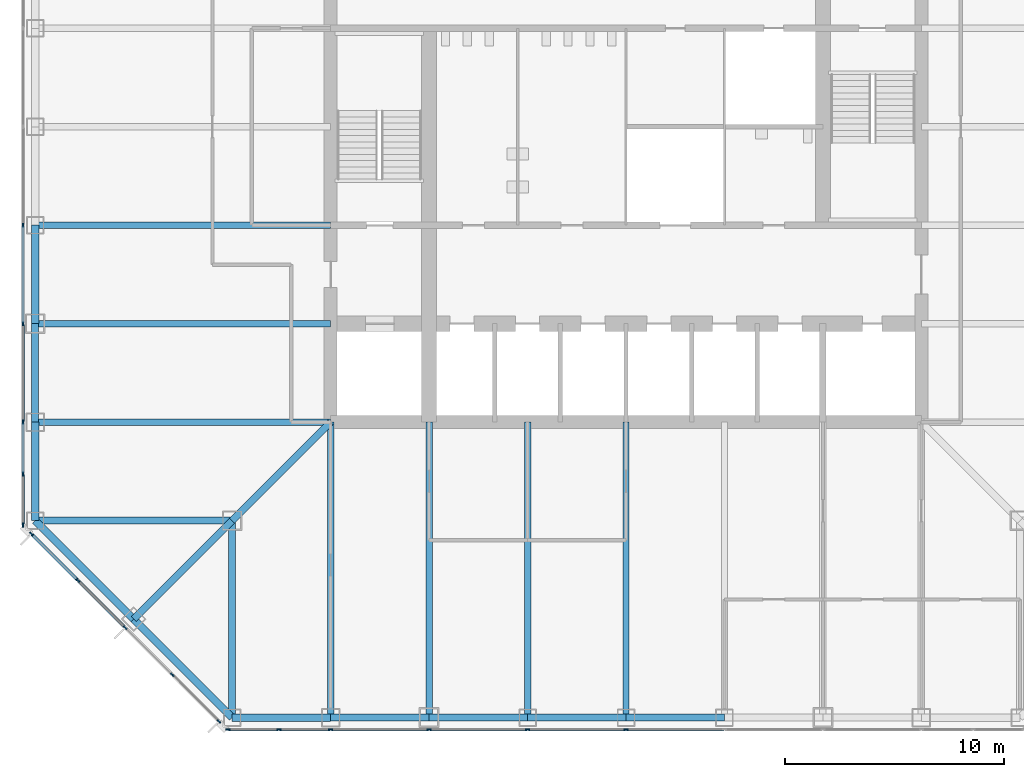
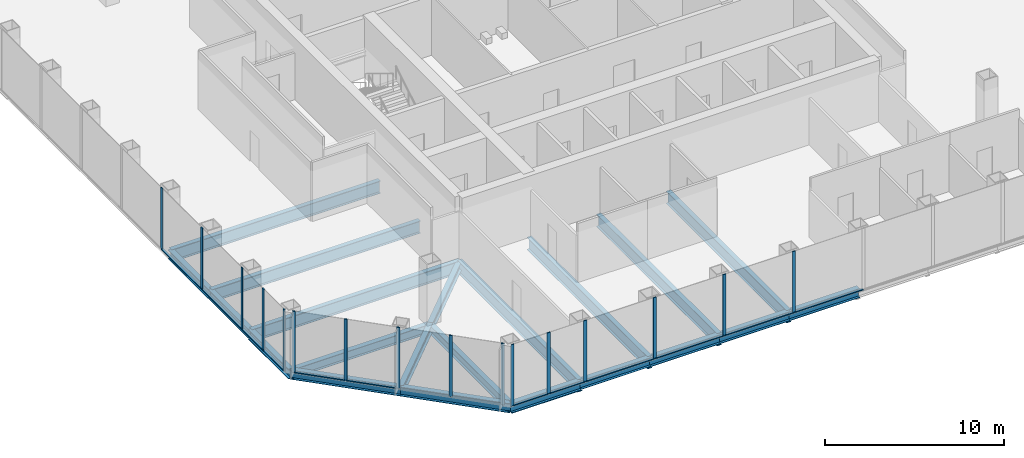
# One storey, part 2 of 12: 28 members, 21 beams, 3 elements without a shape of their own.
"""IFC4 building model written with IfcOpenShell, lengths in metres."""

import ifcopenshell
import ifcopenshell.guid

model = None  # the IFC model being written
_history = None  # IfcOwnerHistory: only IFC2X3 demands one
_inside = {}  # id of a spatial element -> (the spatial element, [elements in it])
_under = {}  # id of a project, library or spatial element -> (it, [spatial elements below it])
_declared = {}  # id of a project -> (the project, [libraries it declares])
_typed = {}  # id of a type object -> (the type object, [elements of that type])
_made_of = {}  # id of a material, layer set ... -> (it, [elements and type objects made of it])


def new_model(schema):
    """Start an empty IFC model of exactly this schema.

    Asked for "IFC4X3", IfcOpenShell would pick the latest addendum, in which some entities
    have other attributes; the version numbers below select the first issue.
    IFC2X3 requires an IfcOwnerHistory on every rooted entity: one is made here for all.
    """
    global model, _history
    if schema == "IFC4X3":
        model = ifcopenshell.file(schema_version=(4, 3, 0, 0))
    else:
        model = ifcopenshell.file(schema=schema)
    _inside.clear()
    _under.clear()
    _declared.clear()
    _typed.clear()
    _made_of.clear()
    _history = None
    if model.schema == "IFC2X3":
        org = make("IfcOrganization", Name="unknown")
        user = make(
            "IfcPersonAndOrganization",
            ThePerson=make("IfcPerson", FamilyName="unknown"),
            TheOrganization=org,
        )
        app = make(
            "IfcApplication",
            ApplicationDeveloper=org,
            Version="unknown",
            ApplicationFullName="unknown",
            ApplicationIdentifier="unknown",
        )
        _history = make(
            "IfcOwnerHistory",
            OwningUser=user,
            OwningApplication=app,
            ChangeAction="ADDED",
            CreationDate=0,
        )
    return model


def make(cls, **values):
    """One entity of the class cls with the attributes given. An attribute that is None is left unset."""
    return model.create_entity(
        cls, **{name: value for name, value in values.items() if value is not None}
    )


def rooted(cls, **values):
    """An entity with a GlobalId (a new one), such as an element, a storey or a relation."""
    return make(cls, GlobalId=ifcopenshell.guid.new(), OwnerHistory=_history, **values)


def si_unit(unit_type, name, prefix=None):
    """IfcSIUnit, for example si_unit("LENGTHUNIT", "METRE", prefix="MILLI")."""
    return make("IfcSIUnit", UnitType=unit_type, Prefix=prefix, Name=name)


def assignment(units):
    """IfcUnitAssignment: the units of a project."""
    return None if units is None else make("IfcUnitAssignment", Units=units)


def point(xyz):
    """IfcCartesianPoint."""
    return None if xyz is None else make("IfcCartesianPoint", Coordinates=xyz)


def direction(xyz):
    """IfcDirection."""
    return None if xyz is None else make("IfcDirection", DirectionRatios=xyz)


def frame(location, z_axis=None, x_axis=None):
    """IfcAxis2Placement3D, a coordinate frame: its origin and axes. An axis left out is left unset."""
    return make(
        "IfcAxis2Placement3D",
        Location=point(location),
        Axis=direction(z_axis),
        RefDirection=direction(x_axis),
    )


def frame_2d(location, x_axis=None):
    """IfcAxis2Placement2D, a coordinate frame in the plane: its origin and x axis."""
    return make(
        "IfcAxis2Placement2D", Location=point(location), RefDirection=direction(x_axis)
    )


def origin():
    """The frame at (0, 0, 0) with its axes left unset."""
    return frame((0.0, 0.0, 0.0))


def origin_2d():
    """The frame at (0, 0) in the plane with its x axis left unset."""
    return frame_2d((0.0, 0.0))


def place(relative_to, where):
    """IfcLocalPlacement: puts the frame where relative to a parent placement (None: the world)."""
    return make(
        "IfcLocalPlacement", PlacementRelTo=relative_to, RelativePlacement=where
    )


def context(
    kind, dimensions, precision=None, world=None, true_north=None, identifier=None
):
    """IfcGeometricRepresentationContext, for example the 3D "Model" context."""
    return make(
        "IfcGeometricRepresentationContext",
        ContextIdentifier=identifier,
        ContextType=kind,
        CoordinateSpaceDimension=dimensions,
        Precision=precision,
        WorldCoordinateSystem=world,
        TrueNorth=true_north,
    )


def subcontext(parent, identifier, kind, view, scale=None):
    """IfcGeometricRepresentationSubContext, for example "Body" below "Model"."""
    return make(
        "IfcGeometricRepresentationSubContext",
        ContextIdentifier=identifier,
        ContextType=kind,
        ParentContext=parent,
        TargetScale=scale,
        TargetView=view,
    )


def project(units=None, contexts=None):
    """IfcProject with its units and contexts."""
    return rooted(
        "IfcProject",
        Name="project",
        RepresentationContexts=contexts,
        UnitsInContext=assignment(units),
    )


def spatial(cls, under=None, at=None, **own):
    """A site, building, storey or space (cls), placed at a placement, below another one or the project."""
    s = rooted(cls, ObjectPlacement=at, **own)
    if under is not None:
        _under.setdefault(under.id(), (under, []))[1].append(s)
    return s


def profile(cls, at=None, kind="AREA", **sizes):
    """A parametric profile (cls). Its sizes go by their IFC names, for example OverallWidth=200.0."""
    return make(cls, ProfileType=kind, Position=at, **sizes)


def rectangle(**sizes):
    """IfcRectangleProfileDef."""
    return profile("IfcRectangleProfileDef", **sizes)


def i_section(**sizes):
    """IfcIShapeProfileDef."""
    return profile("IfcIShapeProfileDef", **sizes)


def extrude(swept, where, along, depth):
    """IfcExtrudedAreaSolid: the profile swept, set in the frame where, extruded along a direction by depth."""
    return make(
        "IfcExtrudedAreaSolid",
        SweptArea=swept,
        Position=where,
        ExtrudedDirection=direction(along),
        Depth=depth,
    )


def shape(context_of_items, identifier, shape_type, items):
    """IfcShapeRepresentation: the items that make up one representation, for example the "Body"."""
    return make(
        "IfcShapeRepresentation",
        ContextOfItems=context_of_items,
        RepresentationIdentifier=identifier,
        RepresentationType=shape_type,
        Items=items,
    )


def material(Name=None, Category=None):
    """IfcMaterial."""
    return make("IfcMaterial", Name=Name, Category=Category)


def material_profile(
    of_material, cross_section, Name=None, Category=None, Priority=None
):
    """IfcMaterialProfile: a cross section and its material."""
    return make(
        "IfcMaterialProfile",
        Name=Name,
        Material=of_material,
        Profile=cross_section,
        Priority=Priority,
        Category=Category,
    )


def profile_set(profiles, Name=None, composite=None):
    """IfcMaterialProfileSet."""
    return make(
        "IfcMaterialProfileSet",
        Name=Name,
        MaterialProfiles=profiles,
        CompositeProfile=composite,
    )


def made_of(thing, what):
    """Note that an element or type object is made of a material, layer set ...; save() writes the relation."""
    if what is not None:
        _made_of.setdefault(what.id(), (what, []))[1].append(thing)
    return thing


def type_object(cls, material=None, **own):
    """A type object (cls), such as IfcWallType, which elements share."""
    return made_of(rooted(cls, **own), material)


def element(
    cls,
    number,
    at=None,
    inside=None,
    cuts=None,
    type_object=None,
    material=None,
    context=None,
    identifier="Body",
    shape_type=None,
    held_by="IfcProductDefinitionShape",
    body=None,
    shapes=None,
    **own,
):
    """One element of the class cls, such as IfcWall. Its Tag is "e" and its number.

    at: its placement. inside: the storey or other place that contains it. cuts: it is an
    opening in that element (IfcRelVoidsElement). A single representation is given by context,
    identifier, shape_type and body (its items); several are given by shapes. held_by: the class
    of the entity that holds the representations. save() writes the other relations.
    """
    e = rooted(cls, Tag="e%d" % number, ObjectPlacement=at, **own)
    if body is not None:
        shapes = [shape(context, identifier, shape_type, body)]
    if shapes is not None:
        e.Representation = make(held_by, Representations=shapes)
    if inside is not None:
        _inside.setdefault(inside.id(), (inside, []))[1].append(e)
    if cuts is not None:
        rooted(
            "IfcRelVoidsElement", RelatingBuildingElement=cuts, RelatedOpeningElement=e
        )
    if type_object is not None:
        _typed.setdefault(type_object.id(), (type_object, []))[1].append(e)
    return made_of(e, material)


def aggregate(whole, parts):
    """IfcRelAggregates: a whole, such as a stair, and the parts it consists of."""
    return rooted("IfcRelAggregates", RelatingObject=whole, RelatedObjects=parts)


def save(model, path):
    """Write the relations noted so far, then the file.

    IfcRelAggregates (storeys below a building ...), IfcRelContainedInSpatialStructure (elements
    in a storey), IfcRelDefinesByType, IfcRelAssociatesMaterial and IfcRelDeclares: one each for
    every whole, place, type object, material and project.
    """
    for whole, parts in _under.values():
        aggregate(whole, parts)
    for where, things in _inside.values():
        rooted(
            "IfcRelContainedInSpatialStructure",
            RelatedElements=things,
            RelatingStructure=where,
        )
    for kind, things in _typed.values():
        rooted("IfcRelDefinesByType", RelatedObjects=things, RelatingType=kind)
    for what, things in _made_of.values():
        rooted("IfcRelAssociatesMaterial", RelatedObjects=things, RelatingMaterial=what)
    for by, libraries in _declared.values():
        rooted("IfcRelDeclares", RelatingContext=by, RelatedDefinitions=libraries)
    model.write(path)


model = new_model("IFC4")

# Units and contexts
model_context = context("Model", 3, precision=1e-05, world=origin(), true_north=direction((0.0, 1.0)))
body_context = subcontext(model_context, "Body", "Model", "MODEL_VIEW")
ifc_project = project(units=[si_unit("LENGTHUNIT", "METRE"), si_unit("AREAUNIT", "SQUARE_METRE"), si_unit("VOLUMEUNIT", "CUBIC_METRE"), si_unit("PLANEANGLEUNIT", "RADIAN"), si_unit("MASSUNIT", "GRAM", prefix="KILO")], contexts=[model_context])

# Site, building, storey
site_placement = place(None, origin())
site = spatial("IfcSite", under=ifc_project, at=site_placement, CompositionType="ELEMENT")
building_placement = place(site_placement, origin())
building = spatial("IfcBuilding", under=site, at=building_placement, Name="Corais Broadcast Tower", CompositionType="ELEMENT")
storey_placement = place(building_placement, frame((0.0, 0.0, 50.0)))
storey = spatial("IfcBuildingStorey", under=building, at=storey_placement, Name="L10", CompositionType="ELEMENT", Elevation=50.0)

# Beams
ifc_material_1 = material(Name="Steel ASTM A572 Grade 50", Category="steel")
ifc_material_profile_1 = material_profile(ifc_material_1, i_section(OverallWidth=0.323974609375, OverallDepth=0.611083984375, WebThickness=0.0126953125, FlangeThickness=0.01904296875, at=origin_2d()), Name="W610x155")
ifc_profile_set_1 = profile_set([ifc_material_profile_1], Name="Steel ASTM A572 Grade 50")
beam_type_1 = type_object("IfcBeamType", Name="Chamfer tie W610x155", PredefinedType="BEAM", material=ifc_profile_set_1)
beam_1_placement = place(storey_placement, frame((4.5, 4.5, -0.465576171875), z_axis=(0.707106781187, 0.707106781187, 0.0), x_axis=(-0.707106781187, 0.707106781187, 0.0)))
element("IfcBeam", 1, at=beam_1_placement, inside=storey, type_object=beam_type_1, Name="B5 B/4 to C/5", PredefinedType="BEAM", context=body_context, shape_type="SweptSolid", body=[
    extrude(i_section(OverallWidth=0.323974609375, OverallDepth=0.611083984375, WebThickness=0.0126953125, FlangeThickness=0.01904296875, at=origin_2d()), origin(), (0.0, 0.0, 1.0), 6.364013671875),
])
ifc_material_2 = material(Name="Steel ASTM A572 Grade 50", Category="steel")
ifc_material_profile_2 = material_profile(ifc_material_2, i_section(OverallWidth=0.323974609375, OverallDepth=0.611083984375, WebThickness=0.0126953125, FlangeThickness=0.01904296875, at=origin_2d()), Name="W610x155")
ifc_profile_set_2 = profile_set([ifc_material_profile_2], Name="Steel ASTM A572 Grade 50")
beam_type_2 = type_object("IfcBeamType", Name="Corner diagonal W610x155", PredefinedType="BEAM", material=ifc_profile_set_2)
beam_2_placement = place(storey_placement, frame((9.0, 9.0, -0.465576171875), z_axis=(0.707106781187, 0.707106781187, 0.0), x_axis=(-0.707106781187, 0.707106781187, 0.0)))
element("IfcBeam", 2, at=beam_2_placement, inside=storey, type_object=beam_type_2, Name="B6 C/5 to D/6", PredefinedType="BEAM", context=body_context, shape_type="SweptSolid", body=[
    extrude(i_section(OverallWidth=0.323974609375, OverallDepth=0.611083984375, WebThickness=0.0126953125, FlangeThickness=0.01904296875, at=origin_2d()), origin(), (0.0, 0.0, 1.0), 6.364013671875),
])
ifc_material_3 = material(Name="Steel ASTM A572 Grade 50", Category="steel")
ifc_material_profile_3 = material_profile(ifc_material_3, i_section(OverallWidth=0.323974609375, OverallDepth=0.611083984375, WebThickness=0.0126953125, FlangeThickness=0.01904296875, at=origin_2d()), Name="W610x155")
ifc_profile_set_3 = profile_set([ifc_material_profile_3], Name="Steel ASTM A572 Grade 50")
beam_type_3 = type_object("IfcBeamType", Name="Corner girder W610x155", PredefinedType="BEAM", material=ifc_profile_set_3)
for number, where, z_axis, x_axis, name in (
    (3, (0.0, 9.0, -0.465576171875), (1.0, 0.0, 0.0), (0.0, 1.0, 0.0), "B4 C/3 to C/5"),
    (4, (9.0, 0.0, -0.465576171875), (0.0, 1.0, 0.0), (-1.0, 0.0, 0.0), "B4 A/5 to C/5"),
):
    element("IfcBeam", number, at=place(storey_placement, frame(where, z_axis=z_axis, x_axis=x_axis)), inside=storey, type_object=beam_type_3, Name=name, PredefinedType="BEAM", context=body_context, shape_type="SweptSolid", body=[
        extrude(i_section(OverallWidth=0.323974609375, OverallDepth=0.611083984375, WebThickness=0.0126953125, FlangeThickness=0.01904296875, at=origin_2d()), origin(), (0.0, 0.0, 1.0), 9.0),
    ])
ifc_material_4 = material(Name="Steel ASTM A572 Grade 50", Category="steel")
ifc_material_profile_4 = material_profile(ifc_material_4, i_section(OverallWidth=0.337890625, OverallDepth=0.677978515625, WebThickness=0.029541015625, FlangeThickness=0.052978515625, at=origin_2d()), Name="W610x415")
ifc_profile_set_4 = profile_set([ifc_material_profile_4], Name="Steel ASTM A572 Grade 50")
beam_type_4 = type_object("IfcBeamType", Name="Corner spandrel W610x415", PredefinedType="BEAM", material=ifc_profile_set_4)
for number, where, z_axis, x_axis, name in (
    (5, (0.0, 13.5, -0.4990234375), (0.0, -1.0, 0.0), (1.0, 0.0, 0.0), "SB10 D/3 to C/3"),
    (6, (9.0, 0.0, -0.4990234375), (1.0, 0.0, 0.0), (0.0, 1.0, 0.0), "SB10 A/5 to A/6"),
):
    element("IfcBeam", number, at=place(storey_placement, frame(where, z_axis=z_axis, x_axis=x_axis)), inside=storey, type_object=beam_type_4, Name=name, PredefinedType="BEAM", context=body_context, shape_type="SweptSolid", body=[
        extrude(i_section(OverallWidth=0.337890625, OverallDepth=0.677978515625, WebThickness=0.029541015625, FlangeThickness=0.052978515625, at=origin_2d()), origin(), (0.0, 0.0, 1.0), 4.5),
    ])
ifc_material_5 = material(Name="Steel ASTM A572 Grade 50", Category="steel")
ifc_material_profile_5 = material_profile(ifc_material_5, i_section(OverallWidth=0.2939453125, OverallDepth=0.85107421875, WebThickness=0.01611328125, FlangeThickness=0.02685546875, at=origin_2d()), Name="W840x226")
ifc_profile_set_5 = profile_set([ifc_material_profile_5], Name="Steel ASTM A572 Grade 50")
beam_type_5 = type_object("IfcBeamType", Name="Floor beam W840x226", PredefinedType="BEAM", material=ifc_profile_set_5)
for number, where, z_axis, x_axis, name in (
    (7, (0.0, 13.5, -0.58544921875), (1.0, 0.0, 0.0), (0.0, 1.0, 0.0), "B1 D/3 to D/6"),
    (8, (0.0, 18.0, -0.58544921875), (1.0, 0.0, 0.0), (0.0, 1.0, 0.0), "B1 E/3 to E/6"),
    (9, (0.0, 22.5, -0.58544921875), (1.0, 0.0, 0.0), (0.0, 1.0, 0.0), "B1 F/3 to F/6"),
    (10, (13.5, 0.0, -0.58544921875), (0.0, 1.0, 0.0), (-1.0, 0.0, 0.0), "B1 A/6 to D/6"),
    (11, (18.0, 0.0, -0.58544921875), (0.0, 1.0, 0.0), (-1.0, 0.0, 0.0), "B1 A/7 to D/7"),
    (12, (22.5, 0.0, -0.58544921875), (0.0, 1.0, 0.0), (-1.0, 0.0, 0.0), "B1 A/8 to D/8"),
    (13, (27.0, 0.0, -0.58544921875), (0.0, 1.0, 0.0), (-1.0, 0.0, 0.0), "B1 A/9 to D/9"),
):
    element("IfcBeam", number, at=place(storey_placement, frame(where, z_axis=z_axis, x_axis=x_axis)), inside=storey, type_object=beam_type_5, Name=name, PredefinedType="BEAM", context=body_context, shape_type="SweptSolid", body=[
        extrude(i_section(OverallWidth=0.2939453125, OverallDepth=0.85107421875, WebThickness=0.01611328125, FlangeThickness=0.02685546875, at=origin_2d()), origin(), (0.0, 0.0, 1.0), 13.5),
    ])

# Curtain wall, members
ifc_material_6 = material(Name="Aluminium and glass", Category="aluminium")
curtain_wall_type = type_object("IfcCurtainWallType", Name="Unitised fritted curtain wall CW1", PredefinedType="NOTDEFINED", material=ifc_material_6)
curtain_wall_1_placement = place(storey_placement, origin())
curtain_wall_1 = element("IfcCurtainWall", 14, at=curtain_wall_1_placement, inside=storey, type_object=curtain_wall_type, Name="CW1 curtain wall L10 1", PredefinedType="NOTDEFINED")
ifc_material_7 = material(Name="Aluminium 6063-T6", Category="aluminium")
ifc_material_profile_6 = material_profile(ifc_material_7, rectangle(XDim=0.06494140625, YDim=0.199951171875, at=origin_2d()), Name="Mullion CW1 65x200")
ifc_profile_set_6 = profile_set([ifc_material_profile_6], Name="Aluminium 6063-T6")
member_type_1 = type_object("IfcMemberType", Name="Mullion CW1 65x200", PredefinedType="MULLION", material=ifc_profile_set_6)
member_1_placement = place(storey_placement, frame((8.3955078125, -0.17333984375, 0.0), z_axis=(0.0, 0.0, 1.0), x_axis=(-0.707106781187, -0.707106781187, 0.0)))
member_1 = element("IfcMember", 15, at=member_1_placement, type_object=member_type_1, Name="CW1 mullion 1", PredefinedType="MULLION", context=body_context, shape_type="SweptSolid", body=[
    extrude(rectangle(XDim=0.06494140625, YDim=0.199951171875, at=origin_2d()), origin(), (0.0, 0.0, 1.0), 4.199951171875),
])
member_2_placement = place(storey_placement, frame((6.264892578125, 1.957275390625, 0.0), z_axis=(0.0, 0.0, 1.0), x_axis=(-0.707106781187, -0.707106781187, 0.0)))
member_2 = element("IfcMember", 16, at=member_2_placement, type_object=member_type_1, Name="CW1 mullion 2", PredefinedType="MULLION", context=body_context, shape_type="SweptSolid", body=[
    extrude(rectangle(XDim=0.06494140625, YDim=0.199951171875, at=origin_2d()), origin(), (0.0, 0.0, 1.0), 4.199951171875),
])
member_3_placement = place(storey_placement, frame((4.111083984375, 4.111083984375, 0.0), z_axis=(0.0, 0.0, 1.0), x_axis=(-0.707106781187, -0.707106781187, 0.0)))
member_3 = element("IfcMember", 17, at=member_3_placement, type_object=member_type_1, Name="CW1 mullion 3", PredefinedType="MULLION", context=body_context, shape_type="SweptSolid", body=[
    extrude(rectangle(XDim=0.06494140625, YDim=0.199951171875, at=origin_2d()), origin(), (0.0, 0.0, 1.0), 4.199951171875),
])
member_4_placement = place(storey_placement, frame((1.957275390625, 6.264892578125, 0.0), z_axis=(0.0, 0.0, 1.0), x_axis=(-0.707106781187, -0.707106781187, 0.0)))
member_4 = element("IfcMember", 18, at=member_4_placement, type_object=member_type_1, Name="CW1 mullion 4", PredefinedType="MULLION", context=body_context, shape_type="SweptSolid", body=[
    extrude(rectangle(XDim=0.06494140625, YDim=0.199951171875, at=origin_2d()), origin(), (0.0, 0.0, 1.0), 4.199951171875),
])
member_5_placement = place(storey_placement, frame((-0.17333984375, 8.3955078125, 0.0), z_axis=(0.0, 0.0, 1.0), x_axis=(-0.707106781187, -0.707106781187, 0.0)))
member_5 = element("IfcMember", 19, at=member_5_placement, type_object=member_type_1, Name="CW1 mullion 5", PredefinedType="MULLION", context=body_context, shape_type="SweptSolid", body=[
    extrude(rectangle(XDim=0.06494140625, YDim=0.199951171875, at=origin_2d()), origin(), (0.0, 0.0, 1.0), 4.199951171875),
])

curtain_wall_2_placement = place(storey_placement, origin())
curtain_wall_2 = element("IfcCurtainWall", 20, at=curtain_wall_2_placement, inside=storey, type_object=curtain_wall_type, Name="CW1 curtain wall L10 2", PredefinedType="NOTDEFINED")
member_6_placement = place(storey_placement, frame((-0.550048828125, 8.8046875, 0.0), z_axis=(0.0, 0.0, 1.0), x_axis=(-1.0, 0.0, 0.0)))
member_6 = element("IfcMember", 21, at=member_6_placement, type_object=member_type_1, Name="CW1 mullion 1", PredefinedType="MULLION", context=body_context, shape_type="SweptSolid", body=[
    extrude(rectangle(XDim=0.06494140625, YDim=0.199951171875, at=origin_2d()), origin(), (0.0, 0.0, 1.0), 4.199951171875),
])
member_7_placement = place(storey_placement, frame((-0.550048828125, 11.135986328125, 0.0), z_axis=(0.0, 0.0, 1.0), x_axis=(-1.0, 0.0, 0.0)))
member_7 = element("IfcMember", 22, at=member_7_placement, type_object=member_type_1, Name="CW1 mullion 2", PredefinedType="MULLION", context=body_context, shape_type="SweptSolid", body=[
    extrude(rectangle(XDim=0.06494140625, YDim=0.199951171875, at=origin_2d()), origin(), (0.0, 0.0, 1.0), 4.199951171875),
])
member_8_placement = place(storey_placement, frame((-0.550048828125, 13.5, 0.0), z_axis=(0.0, 0.0, 1.0), x_axis=(-1.0, 0.0, 0.0)))
member_8 = element("IfcMember", 23, at=member_8_placement, type_object=member_type_1, Name="CW1 mullion 3", PredefinedType="MULLION", context=body_context, shape_type="SweptSolid", body=[
    extrude(rectangle(XDim=0.06494140625, YDim=0.199951171875, at=origin_2d()), origin(), (0.0, 0.0, 1.0), 4.199951171875),
])
member_9_placement = place(storey_placement, frame((-0.550048828125, 18.0, 0.0), z_axis=(0.0, 0.0, 1.0), x_axis=(-1.0, 0.0, 0.0)))
member_9 = element("IfcMember", 24, at=member_9_placement, type_object=member_type_1, Name="CW1 mullion 4", PredefinedType="MULLION", context=body_context, shape_type="SweptSolid", body=[
    extrude(rectangle(XDim=0.06494140625, YDim=0.199951171875, at=origin_2d()), origin(), (0.0, 0.0, 1.0), 4.199951171875),
])
member_10_placement = place(storey_placement, frame((-0.550048828125, 22.5, 0.0), z_axis=(0.0, 0.0, 1.0), x_axis=(-1.0, 0.0, 0.0)))
member_10 = element("IfcMember", 25, at=member_10_placement, type_object=member_type_1, Name="CW1 mullion 5", PredefinedType="MULLION", context=body_context, shape_type="SweptSolid", body=[
    extrude(rectangle(XDim=0.06494140625, YDim=0.199951171875, at=origin_2d()), origin(), (0.0, 0.0, 1.0), 4.199951171875),
])

curtain_wall_3_placement = place(storey_placement, origin())
curtain_wall_3 = element("IfcCurtainWall", 26, at=curtain_wall_3_placement, inside=storey, type_object=curtain_wall_type, Name="CW1 curtain wall L10 8", PredefinedType="NOTDEFINED")
member_11_placement = place(storey_placement, frame((27.0, -0.550048828125, 0.0), z_axis=(0.0, 0.0, 1.0), x_axis=(0.0, -1.0, 0.0)))
member_11 = element("IfcMember", 27, at=member_11_placement, type_object=member_type_1, Name="CW1 mullion 6", PredefinedType="MULLION", context=body_context, shape_type="SweptSolid", body=[
    extrude(rectangle(XDim=0.06494140625, YDim=0.199951171875, at=origin_2d()), origin(), (0.0, 0.0, 1.0), 4.199951171875),
])
member_12_placement = place(storey_placement, frame((22.5, -0.550048828125, 0.0), z_axis=(0.0, 0.0, 1.0), x_axis=(0.0, -1.0, 0.0)))
member_12 = element("IfcMember", 28, at=member_12_placement, type_object=member_type_1, Name="CW1 mullion 7", PredefinedType="MULLION", context=body_context, shape_type="SweptSolid", body=[
    extrude(rectangle(XDim=0.06494140625, YDim=0.199951171875, at=origin_2d()), origin(), (0.0, 0.0, 1.0), 4.199951171875),
])
member_13_placement = place(storey_placement, frame((18.0, -0.550048828125, 0.0), z_axis=(0.0, 0.0, 1.0), x_axis=(0.0, -1.0, 0.0)))
member_13 = element("IfcMember", 29, at=member_13_placement, type_object=member_type_1, Name="CW1 mullion 8", PredefinedType="MULLION", context=body_context, shape_type="SweptSolid", body=[
    extrude(rectangle(XDim=0.06494140625, YDim=0.199951171875, at=origin_2d()), origin(), (0.0, 0.0, 1.0), 4.199951171875),
])
member_14_placement = place(storey_placement, frame((13.5, -0.550048828125, 0.0), z_axis=(0.0, 0.0, 1.0), x_axis=(0.0, -1.0, 0.0)))
member_14 = element("IfcMember", 30, at=member_14_placement, type_object=member_type_1, Name="CW1 mullion 9", PredefinedType="MULLION", context=body_context, shape_type="SweptSolid", body=[
    extrude(rectangle(XDim=0.06494140625, YDim=0.199951171875, at=origin_2d()), origin(), (0.0, 0.0, 1.0), 4.199951171875),
])
member_15_placement = place(storey_placement, frame((11.135986328125, -0.550048828125, 0.0), z_axis=(0.0, 0.0, 1.0), x_axis=(0.0, -1.0, 0.0)))
member_15 = element("IfcMember", 31, at=member_15_placement, type_object=member_type_1, Name="CW1 mullion 10", PredefinedType="MULLION", context=body_context, shape_type="SweptSolid", body=[
    extrude(rectangle(XDim=0.06494140625, YDim=0.199951171875, at=origin_2d()), origin(), (0.0, 0.0, 1.0), 4.199951171875),
])
member_16_placement = place(storey_placement, frame((8.8046875, -0.550048828125, 0.0), z_axis=(0.0, 0.0, 1.0), x_axis=(0.0, -1.0, 0.0)))
member_16 = element("IfcMember", 32, at=member_16_placement, type_object=member_type_1, Name="CW1 mullion 11", PredefinedType="MULLION", context=body_context, shape_type="SweptSolid", body=[
    extrude(rectangle(XDim=0.06494140625, YDim=0.199951171875, at=origin_2d()), origin(), (0.0, 0.0, 1.0), 4.199951171875),
])

# Beams
ifc_material_8 = material(Name="Steel ASTM A572 Grade 50", Category="steel")
ifc_material_profile_7 = material_profile(ifc_material_8, i_section(OverallWidth=0.323974609375, OverallDepth=0.611083984375, WebThickness=0.0126953125, FlangeThickness=0.01904296875, at=origin_2d()), Name="W610x155")
ifc_profile_set_7 = profile_set([ifc_material_profile_7], Name="Steel ASTM A572 Grade 50")
beam_type_6 = type_object("IfcBeamType", Name="Pinned spandrel W610x155", PredefinedType="BEAM", material=ifc_profile_set_7)
for number, where, z_axis, x_axis, name in (
    (33, (0.0, 18.0, -0.465576171875), (0.0, -1.0, 0.0), (1.0, 0.0, 0.0), "SB6 E/3 to D/3"),
    (34, (13.5, 0.0, -0.465576171875), (1.0, 0.0, 0.0), (0.0, 1.0, 0.0), "SB6 A/6 to A/7"),
):
    element("IfcBeam", number, at=place(storey_placement, frame(where, z_axis=z_axis, x_axis=x_axis)), inside=storey, type_object=beam_type_6, Name=name, PredefinedType="BEAM", context=body_context, shape_type="SweptSolid", body=[
        extrude(i_section(OverallWidth=0.323974609375, OverallDepth=0.611083984375, WebThickness=0.0126953125, FlangeThickness=0.01904296875, at=origin_2d()), origin(), (0.0, 0.0, 1.0), 4.5),
    ])
ifc_material_9 = material(Name="Steel ASTM A572 Grade 50", Category="steel")
ifc_material_profile_8 = material_profile(ifc_material_9, i_section(OverallWidth=0.3291015625, OverallDepth=0.635009765625, WebThickness=0.017822265625, FlangeThickness=0.031005859375, at=origin_2d()), Name="W610x241")
ifc_profile_set_8 = profile_set([ifc_material_profile_8], Name="Steel ASTM A572 Grade 50")
beam_type_7 = type_object("IfcBeamType", Name="Spandrel W610x241", PredefinedType="BEAM", material=ifc_profile_set_8)
beam_3_placement = place(storey_placement, frame((0.0, 22.5, -0.4775390625), z_axis=(0.0, -1.0, 0.0), x_axis=(1.0, 0.0, 0.0)))
element("IfcBeam", 35, at=beam_3_placement, inside=storey, type_object=beam_type_7, Name="SB1 F/3 to E/3", PredefinedType="BEAM", context=body_context, shape_type="SweptSolid", body=[
    extrude(i_section(OverallWidth=0.3291015625, OverallDepth=0.635009765625, WebThickness=0.017822265625, FlangeThickness=0.031005859375, at=origin_2d()), origin(), (0.0, 0.0, 1.0), 4.5),
])
beam_4_placement = place(storey_placement, frame((0.0, 9.0, -0.4775390625), z_axis=(0.707106781187, -0.707106781187, 0.0), x_axis=(0.707106781187, 0.707106781187, 0.0)))
element("IfcBeam", 36, at=beam_4_placement, inside=storey, type_object=beam_type_7, Name="SB1 C/3 to B/4", PredefinedType="BEAM", context=body_context, shape_type="SweptSolid", body=[
    extrude(i_section(OverallWidth=0.3291015625, OverallDepth=0.635009765625, WebThickness=0.017822265625, FlangeThickness=0.031005859375, at=origin_2d()), origin(), (0.0, 0.0, 1.0), 6.364013671875),
])
for number, where, z_axis, x_axis, name in (
    (37, (18.0, 0.0, -0.4775390625), (1.0, 0.0, 0.0), (0.0, 1.0, 0.0), "SB1 A/7 to A/8"),
    (38, (22.5, 0.0, -0.4775390625), (1.0, 0.0, 0.0), (0.0, 1.0, 0.0), "SB1 A/8 to A/9"),
    (39, (27.0, 0.0, -0.4775390625), (1.0, 0.0, 0.0), (0.0, 1.0, 0.0), "SB1 A/9 to A/10"),
):
    element("IfcBeam", number, at=place(storey_placement, frame(where, z_axis=z_axis, x_axis=x_axis)), inside=storey, type_object=beam_type_7, Name=name, PredefinedType="BEAM", context=body_context, shape_type="SweptSolid", body=[
        extrude(i_section(OverallWidth=0.3291015625, OverallDepth=0.635009765625, WebThickness=0.017822265625, FlangeThickness=0.031005859375, at=origin_2d()), origin(), (0.0, 0.0, 1.0), 4.5),
    ])
beam_5_placement = place(storey_placement, frame((4.5, 4.5, -0.4775390625), z_axis=(0.707106781187, -0.707106781187, 0.0), x_axis=(0.707106781187, 0.707106781187, 0.0)))
element("IfcBeam", 40, at=beam_5_placement, inside=storey, type_object=beam_type_7, Name="SB1 B/4 to A/5", PredefinedType="BEAM", context=body_context, shape_type="SweptSolid", body=[
    extrude(i_section(OverallWidth=0.3291015625, OverallDepth=0.635009765625, WebThickness=0.017822265625, FlangeThickness=0.031005859375, at=origin_2d()), origin(), (0.0, 0.0, 1.0), 6.364013671875),
])

# Member
ifc_material_10 = material(Name="Aluminium 6063-T6", Category="aluminium")
ifc_material_profile_9 = material_profile(ifc_material_10, rectangle(XDim=0.139892578125, YDim=0.06494140625, at=origin_2d()), Name="Transom CW1 65x140")
ifc_profile_set_9 = profile_set([ifc_material_profile_9], Name="Aluminium 6063-T6")
member_type_2 = type_object("IfcMemberType", Name="Transom CW1 65x140", PredefinedType="USERDEFINED", material=ifc_profile_set_9)
member_17_placement = place(storey_placement, frame((4.088134765625, 4.134033203125, 0.032470703125), z_axis=(-0.707106781187, 0.707106781187, 0.0), x_axis=(-0.707106781187, -0.707106781187, 0.0)))
member_17 = element("IfcMember", 41, at=member_17_placement, type_object=member_type_2, Name="CW1 transom 3.1", ObjectType="TRANSOM", PredefinedType="USERDEFINED", context=body_context, shape_type="SweptSolid", body=[
    extrude(rectangle(XDim=0.139892578125, YDim=0.06494140625, at=origin_2d()), origin(), (0.0, 0.0, 1.0), 2.98095703125),
])

member_18_placement = place(storey_placement, frame((1.934326171875, 6.287841796875, 0.032470703125), z_axis=(-0.707106781187, 0.707106781187, 0.0), x_axis=(-0.707106781187, -0.707106781187, 0.0)))
member_18 = element("IfcMember", 42, at=member_18_placement, type_object=member_type_2, Name="CW1 transom 4.1", ObjectType="TRANSOM", PredefinedType="USERDEFINED", context=body_context, shape_type="SweptSolid", body=[
    extrude(rectangle(XDim=0.139892578125, YDim=0.06494140625, at=origin_2d()), origin(), (0.0, 0.0, 1.0), 2.9482421875),
])

aggregate(curtain_wall_1, [member_1, member_2, member_3, member_4, member_5, member_17, member_18])

member_19_placement = place(storey_placement, frame((-0.550048828125, 8.837158203125, 0.032470703125), z_axis=(0.0, 1.0, 0.0), x_axis=(-1.0, 0.0, 0.0)))
member_19 = element("IfcMember", 43, at=member_19_placement, type_object=member_type_2, Name="CW1 transom 1.1", ObjectType="TRANSOM", PredefinedType="USERDEFINED", context=body_context, shape_type="SweptSolid", body=[
    extrude(rectangle(XDim=0.139892578125, YDim=0.06494140625, at=origin_2d()), origin(), (0.0, 0.0, 1.0), 2.266357421875),
])

member_20_placement = place(storey_placement, frame((-0.550048828125, 11.168701171875, 0.032470703125), z_axis=(0.0, 1.0, 0.0), x_axis=(-1.0, 0.0, 0.0)))
member_20 = element("IfcMember", 44, at=member_20_placement, type_object=member_type_2, Name="CW1 transom 2.1", ObjectType="TRANSOM", PredefinedType="USERDEFINED", context=body_context, shape_type="SweptSolid", body=[
    extrude(rectangle(XDim=0.139892578125, YDim=0.06494140625, at=origin_2d()), origin(), (0.0, 0.0, 1.0), 2.298828125),
])

member_21_placement = place(storey_placement, frame((-0.550048828125, 13.532470703125, 0.032470703125), z_axis=(0.0, 1.0, 0.0), x_axis=(-1.0, 0.0, 0.0)))
member_21 = element("IfcMember", 45, at=member_21_placement, type_object=member_type_2, Name="CW1 transom 3.1", ObjectType="TRANSOM", PredefinedType="USERDEFINED", context=body_context, shape_type="SweptSolid", body=[
    extrude(rectangle(XDim=0.139892578125, YDim=0.06494140625, at=origin_2d()), origin(), (0.0, 0.0, 1.0), 4.43505859375),
])

member_22_placement = place(storey_placement, frame((-0.550048828125, 18.032470703125, 0.032470703125), z_axis=(0.0, 1.0, 0.0), x_axis=(-1.0, 0.0, 0.0)))
member_22 = element("IfcMember", 46, at=member_22_placement, type_object=member_type_2, Name="CW1 transom 4.1", ObjectType="TRANSOM", PredefinedType="USERDEFINED", context=body_context, shape_type="SweptSolid", body=[
    extrude(rectangle(XDim=0.139892578125, YDim=0.06494140625, at=origin_2d()), origin(), (0.0, 0.0, 1.0), 4.43505859375),
])

aggregate(curtain_wall_2, [member_6, member_7, member_8, member_9, member_10, member_19, member_20, member_21, member_22])

member_23_placement = place(storey_placement, frame((31.467529296875, -0.550048828125, 0.032470703125), z_axis=(-1.0, 0.0, 0.0), x_axis=(0.0, -1.0, 0.0)))
member_23 = element("IfcMember", 47, at=member_23_placement, type_object=member_type_2, Name="CW1 transom 5.1", ObjectType="TRANSOM", PredefinedType="USERDEFINED", context=body_context, shape_type="SweptSolid", body=[
    extrude(rectangle(XDim=0.139892578125, YDim=0.06494140625, at=origin_2d()), origin(), (0.0, 0.0, 1.0), 4.43505859375),
])

member_24_placement = place(storey_placement, frame((26.967529296875, -0.550048828125, 0.032470703125), z_axis=(-1.0, 0.0, 0.0), x_axis=(0.0, -1.0, 0.0)))
member_24 = element("IfcMember", 48, at=member_24_placement, type_object=member_type_2, Name="CW1 transom 6.1", ObjectType="TRANSOM", PredefinedType="USERDEFINED", context=body_context, shape_type="SweptSolid", body=[
    extrude(rectangle(XDim=0.139892578125, YDim=0.06494140625, at=origin_2d()), origin(), (0.0, 0.0, 1.0), 4.43505859375),
])

member_25_placement = place(storey_placement, frame((22.467529296875, -0.550048828125, 0.032470703125), z_axis=(-1.0, 0.0, 0.0), x_axis=(0.0, -1.0, 0.0)))
member_25 = element("IfcMember", 49, at=member_25_placement, type_object=member_type_2, Name="CW1 transom 7.1", ObjectType="TRANSOM", PredefinedType="USERDEFINED", context=body_context, shape_type="SweptSolid", body=[
    extrude(rectangle(XDim=0.139892578125, YDim=0.06494140625, at=origin_2d()), origin(), (0.0, 0.0, 1.0), 4.43505859375),
])

member_26_placement = place(storey_placement, frame((17.967529296875, -0.550048828125, 0.032470703125), z_axis=(-1.0, 0.0, 0.0), x_axis=(0.0, -1.0, 0.0)))
member_26 = element("IfcMember", 50, at=member_26_placement, type_object=member_type_2, Name="CW1 transom 8.1", ObjectType="TRANSOM", PredefinedType="USERDEFINED", context=body_context, shape_type="SweptSolid", body=[
    extrude(rectangle(XDim=0.139892578125, YDim=0.06494140625, at=origin_2d()), origin(), (0.0, 0.0, 1.0), 4.43505859375),
])

member_27_placement = place(storey_placement, frame((13.467529296875, -0.550048828125, 0.032470703125), z_axis=(-1.0, 0.0, 0.0), x_axis=(0.0, -1.0, 0.0)))
member_27 = element("IfcMember", 51, at=member_27_placement, type_object=member_type_2, Name="CW1 transom 9.1", ObjectType="TRANSOM", PredefinedType="USERDEFINED", context=body_context, shape_type="SweptSolid", body=[
    extrude(rectangle(XDim=0.139892578125, YDim=0.06494140625, at=origin_2d()), origin(), (0.0, 0.0, 1.0), 2.298828125),
])

member_28_placement = place(storey_placement, frame((11.103515625, -0.550048828125, 0.032470703125), z_axis=(-1.0, 0.0, 0.0), x_axis=(0.0, -1.0, 0.0)))
member_28 = element("IfcMember", 52, at=member_28_placement, type_object=member_type_2, Name="CW1 transom 10.1", ObjectType="TRANSOM", PredefinedType="USERDEFINED", context=body_context, shape_type="SweptSolid", body=[
    extrude(rectangle(XDim=0.139892578125, YDim=0.06494140625, at=origin_2d()), origin(), (0.0, 0.0, 1.0), 2.266357421875),
])

aggregate(curtain_wall_3, [member_11, member_12, member_13, member_14, member_15, member_16, member_23, member_24, member_25, member_26, member_27, member_28])

save(model, "model.ifc")
